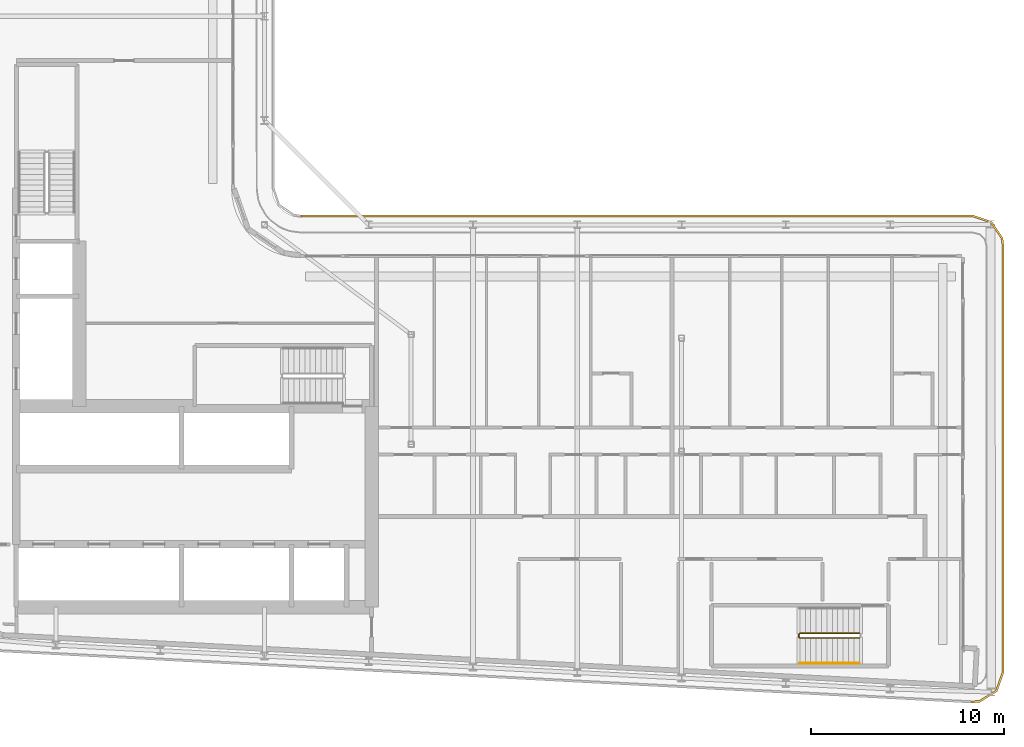
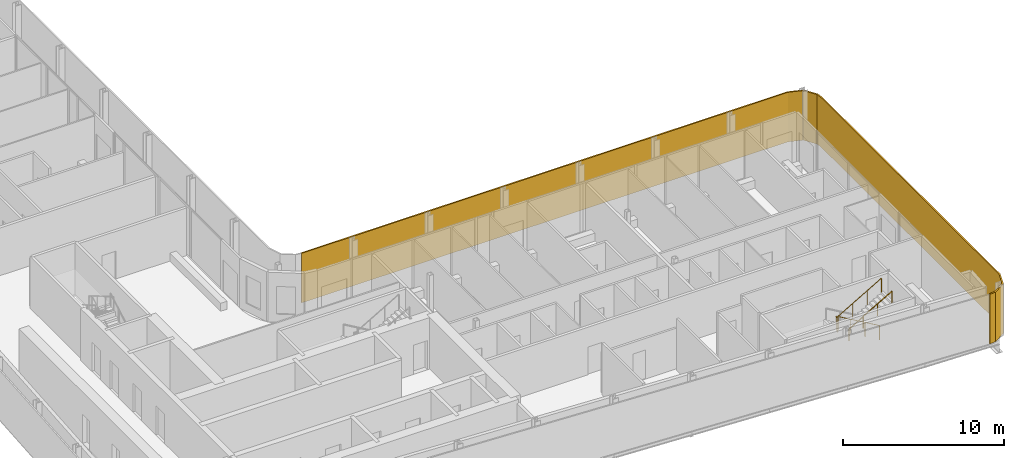
# One storey, part 19 of 23: 2 railings, 1 shading device.
"""IFC4 building model written with IfcOpenShell, lengths in metres."""

from ifc_helpers import new_model, si_unit, direction, frame, origin, origin_2d, place, context, subcontext, project, spatial, polyline, circle, outline, extrude, material, layer, layer_set, type_object, element, save


model = new_model("IFC4")

# Units and contexts
model_context = context("Model", 3, precision=1e-05, world=origin(), true_north=direction((0.0, 1.0)))
body_context = subcontext(model_context, "Body", "Model", "MODEL_VIEW")
ifc_project = project(units=[si_unit("LENGTHUNIT", "METRE"), si_unit("AREAUNIT", "SQUARE_METRE"), si_unit("VOLUMEUNIT", "CUBIC_METRE"), si_unit("PLANEANGLEUNIT", "RADIAN"), si_unit("MASSUNIT", "GRAM", prefix="KILO")], contexts=[model_context])

# Site, building, storey
site_placement = place(None, origin())
site = spatial("IfcSite", under=ifc_project, at=site_placement, CompositionType="ELEMENT")
building_placement = place(site_placement, origin())
building = spatial("IfcBuilding", under=site, at=building_placement, Name="Kheshtan School and Residences Tower", CompositionType="ELEMENT")
storey_placement = place(building_placement, frame((0.0, 0.0, 239.60009765625)))
storey = spatial("IfcBuildingStorey", under=building, at=storey_placement, Name="L56", CompositionType="ELEMENT", Elevation=239.60009765625)

# Shading device
ifc_material_1 = material(Name="Terracotta lattice, extruded ceramic", Category="masonry")
ifc_layer = layer(ifc_material_1, 0.10009765625)
ifc_layer_set = layer_set([ifc_layer], Name="Loggia screen, terracotta lattice")
shading_device_type = type_object("IfcShadingDeviceType", Name="Loggia screen, terracotta lattice", PredefinedType="USERDEFINED", material=ifc_layer_set)
shading_device_placement = place(storey_placement, origin())
element("IfcShadingDevice", 1, at=shading_device_placement, inside=storey, type_object=shading_device_type, Name="Screen L56 2", ObjectType="SCREEN", PredefinedType="USERDEFINED", context=body_context, shape_type="SweptSolid", body=[
    extrude(outline(polyline([(49.5, 46.0), (84.300048828125, 46.0), (85.212890625, 45.68994140625), (85.7490234375, 44.887939453125), (85.800048828125, 44.5), (85.800048828125, 22.43408203125), (85.469970703125, 21.4951171875), (84.6240234375, 20.968994140625), (84.220947265625, 20.93603515625), (84.22900390625, 20.8359375), (84.656005859375, 20.87109375), (85.552978515625, 21.428955078125), (85.89990234375, 22.4169921875), (85.89990234375, 44.507080078125), (85.844970703125, 44.924072265625), (85.277099609375, 45.77392578125), (84.31689453125, 46.10009765625), (49.5, 46.10009765625), (49.5, 46.0)])), origin(), (0.0, 0.0, 1.0), 3.75),
])

# Railings
ifc_material_2 = material(Name="Stainless steel balustrade", Category="steel")
railing_type_1 = type_object("IfcRailingType", Name="Stair guard 1100", PredefinedType="GUARDRAIL", material=ifc_material_2)
railing_1_placement = place(storey_placement, frame((78.409912109375, 24.449951171875, 0.162353515625)))
element("IfcRailing", 2, at=railing_1_placement, inside=storey, type_object=railing_type_1, Name="L56 ST5 stair guard 1", PredefinedType="GUARDRAIL", context=body_context, shape_type="SweptSolid", body=[
    extrude(circle(Radius=0.02392578125, at=origin_2d()), frame((0.0, 0.0, 1.076171875), z_axis=(-0.864873446163, 0.0, 0.501989962173), x_axis=(0.0, -1.0, 0.0)), (0.0, 0.0, 1.0), 3.56103515625),
    extrude(circle(Radius=0.02392578125, at=origin_2d()), frame((-3.079833984375, 0.0, 2.86376953125), z_axis=(-0.707106781187, -0.707106781187, 0.0), x_axis=(0.707106781187, -0.707106781187, 0.0)), (0.0, 0.0, 1.0), 0.07080078125),
    extrude(circle(Radius=0.02392578125, at=origin_2d()), frame((-3.1298828125, -0.050048828125, 2.86376953125), z_axis=(0.0, -1.0, 0.0), x_axis=(1.0, 0.0, 0.0)), (0.0, 0.0, 1.0), 0.14990234375),
    extrude(circle(Radius=0.02392578125, at=origin_2d()), frame((-3.1298828125, -0.199951171875, 2.86376953125), z_axis=(0.282583949758, -0.282583949758, 0.916674763849), x_axis=(0.707106781187, 0.707106781187, 0.0)), (0.0, 0.0, 1.0), 0.177001953125),
    extrude(circle(Radius=0.02392578125, at=origin_2d()), frame((-3.079833984375, -0.25, 3.02587890625), z_axis=(0.864873446163, 0.0, 0.501989962173), x_axis=(0.0, 1.0, 0.0)), (0.0, 0.0, 1.0), 3.56103515625),
    extrude(circle(Radius=0.02099609375, at=origin_2d()), origin(), (0.0, 0.0, 1.0), 1.052001953125),
    extrude(circle(Radius=0.02099609375, at=origin_2d()), frame((-1.026611328125, 0.0, 0.595947265625)), (0.0, 0.0, 1.0), 1.052001953125),
    extrude(circle(Radius=0.02099609375, at=origin_2d()), frame((-2.05322265625, 0.0, 1.191650390625)), (0.0, 0.0, 1.0), 1.052001953125),
    extrude(circle(Radius=0.02099609375, at=origin_2d()), frame((-3.079833984375, 0.0, 1.78759765625)), (0.0, 0.0, 1.0), 1.052001953125),
    extrude(circle(Radius=0.02099609375, at=origin_2d()), frame((-3.1298828125, -0.050048828125, 1.78759765625)), (0.0, 0.0, 1.0), 1.052001953125),
    extrude(circle(Radius=0.02099609375, at=origin_2d()), frame((-3.1298828125, -0.199951171875, 1.78759765625)), (0.0, 0.0, 1.0), 1.052001953125),
    extrude(circle(Radius=0.02099609375, at=origin_2d()), frame((-3.079833984375, -0.25, 1.949951171875)), (0.0, 0.0, 1.0), 1.052001953125),
    extrude(circle(Radius=0.02099609375, at=origin_2d()), frame((-2.05322265625, -0.25, 2.5458984375)), (0.0, 0.0, 1.0), 1.052001953125),
    extrude(circle(Radius=0.02099609375, at=origin_2d()), frame((-1.026611328125, -0.25, 3.1416015625)), (0.0, 0.0, 1.0), 1.052001953125),
    extrude(circle(Radius=0.02099609375, at=origin_2d()), frame((0.0, -0.25, 3.737548828125)), (0.0, 0.0, 1.0), 1.052001953125),
])
ifc_material_3 = material(Name="Stainless steel handrail", Category="steel")
railing_type_2 = type_object("IfcRailingType", Name="Stair handrail 900", PredefinedType="HANDRAIL", material=ifc_material_3)
railing_2_placement = place(storey_placement, frame((75.330078125, 22.89990234375, 2.1123046875)))
element("IfcRailing", 3, at=railing_2_placement, inside=storey, type_object=railing_type_2, Name="L56 ST5 stair handrail 2", PredefinedType="HANDRAIL", context=body_context, shape_type="SweptSolid", body=[
    extrude(circle(Radius=0.02392578125, at=origin_2d()), frame((0.0, 0.0, 0.8759765625), z_axis=(0.864873446163, 0.0, 0.501989962173), x_axis=(0.0, 1.0, 0.0)), (0.0, 0.0, 1.0), 3.56103515625),
    extrude(circle(Radius=0.02099609375, at=origin_2d()), origin(), (0.0, 0.0, 1.0), 0.851806640625),
    extrude(circle(Radius=0.02099609375, at=origin_2d()), frame((1.026611328125, 0.0, 0.595947265625)), (0.0, 0.0, 1.0), 0.851806640625),
    extrude(circle(Radius=0.02099609375, at=origin_2d()), frame((2.05322265625, 0.0, 1.191650390625)), (0.0, 0.0, 1.0), 0.851806640625),
    extrude(circle(Radius=0.02099609375, at=origin_2d()), frame((3.079833984375, 0.0, 1.78759765625)), (0.0, 0.0, 1.0), 0.851806640625),
])

save(model, "model.ifc")
